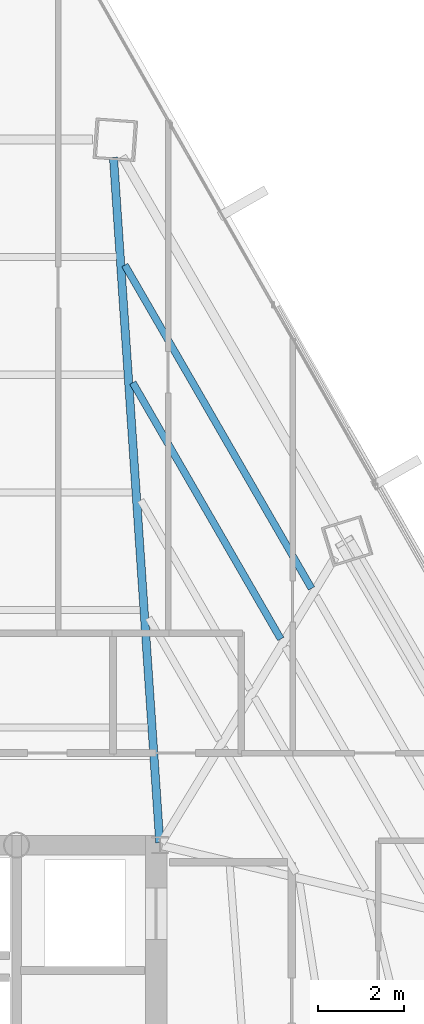
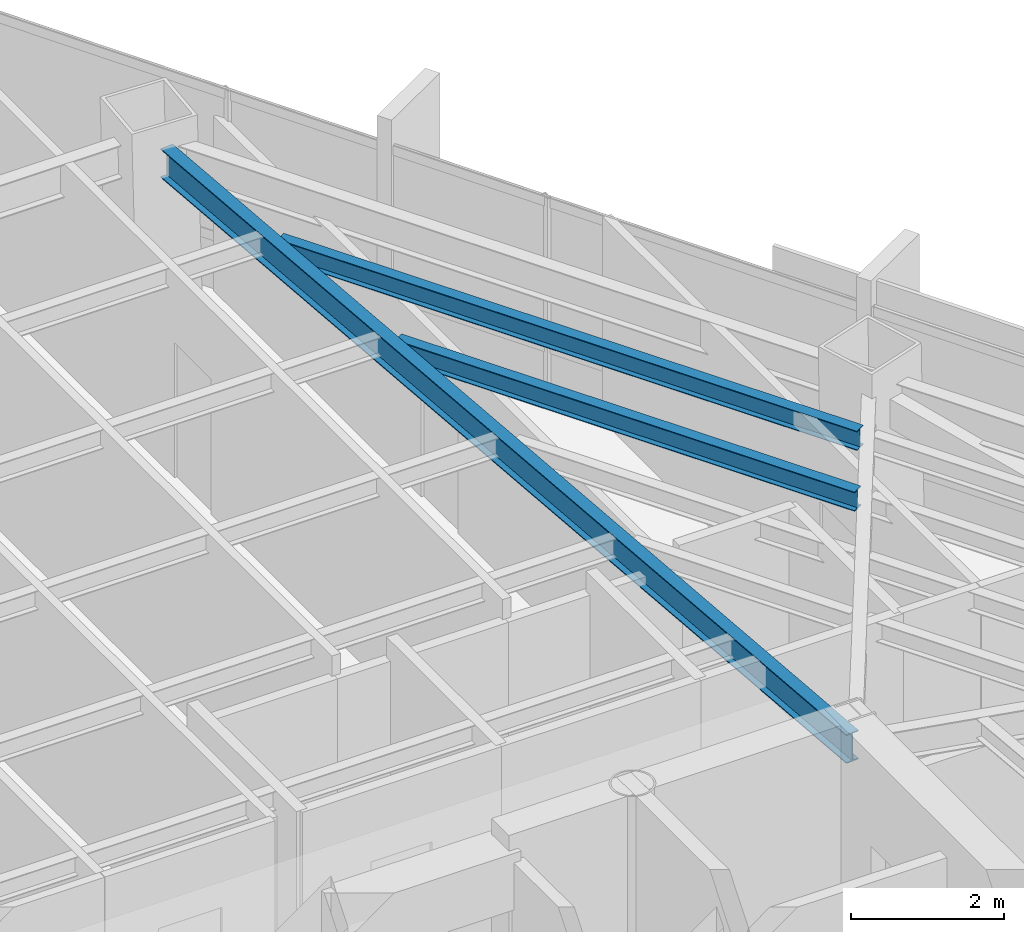
# One storey, part 30 of 40: 3 beams.
"""IFC4 building model written with IfcOpenShell, lengths in metres."""

from ifc_helpers import new_model, si_unit, direction, frame, origin, origin_2d, place, context, subcontext, project, spatial, i_section, extrude, source, transform, mapped, material, material_profile, profile_set, type_object, type_shapes, element, save


model = new_model("IFC4")

# Units and contexts
model_context = context("Model", 3, precision=1e-05, world=origin(), true_north=direction((0.0, 1.0)))
body_context = subcontext(model_context, "Body", "Model", "MODEL_VIEW")
ifc_project = project(units=[si_unit("LENGTHUNIT", "METRE"), si_unit("AREAUNIT", "SQUARE_METRE"), si_unit("VOLUMEUNIT", "CUBIC_METRE"), si_unit("PLANEANGLEUNIT", "RADIAN"), si_unit("MASSUNIT", "GRAM", prefix="KILO")], contexts=[model_context])

# Site, building, storey
site_placement = place(None, origin())
site = spatial("IfcSite", under=ifc_project, at=site_placement, CompositionType="ELEMENT")
building_placement = place(site_placement, origin())
building = spatial("IfcBuilding", under=site, at=building_placement, Name="Caelisora Broadcast Tower", CompositionType="ELEMENT")
storey_placement = place(building_placement, frame((0.0, 0.0, 146.39990234375)))
storey = spatial("IfcBuildingStorey", under=building, at=storey_placement, Name="L38", CompositionType="ELEMENT", Elevation=146.39990234375)

# Beams
ifc_material = material(Name="Steel Grade 350 (AS/NZS 3679.1)", Category="steel")
ifc_material_profile_1 = material_profile(ifc_material, i_section(OverallWidth=0.19091796875, OverallDepth=0.46044921875, WebThickness=0.010009765625, FlangeThickness=0.01611328125, at=origin_2d()), Name="Steel Grade 350 (AS/NZS 3679.1)")
ifc_profile_set_1 = profile_set([ifc_material_profile_1], Name="Steel Grade 350 (AS/NZS 3679.1)")
beam_type_1 = type_object("IfcBeamType", Name="PG06", PredefinedType="BEAM", material=ifc_profile_set_1)
shared_shape_1 = source(origin(), body_context, "Body", "SweptSolid", [
    extrude(i_section(OverallWidth=0.19091796875, OverallDepth=0.46044921875, WebThickness=0.010009765625, FlangeThickness=0.01611328125, at=origin_2d()), origin(), (0.0, 0.0, 1.0), 16.045166015625),
])
type_shapes(beam_type_1, [shared_shape_1])
beam_1_placement = place(storey_placement, frame((45.49609375, 30.059814453125, 3.02001953125), z_axis=(-0.067390524034, 0.997726674631, 0.0), x_axis=(-0.997726674631, -0.067390524034, 0.0)))
element("IfcBeam", 1, at=beam_1_placement, inside=storey, type_object=beam_type_1, Name="L38 beam PG06", PredefinedType="BEAM", context=body_context, shape_type="MappedRepresentation", body=[
    mapped(shared_shape_1, transform((0.0, 0.0, 0.0), scale=1.0)),
])
ifc_material_profile_2 = material_profile(ifc_material, i_section(OverallWidth=0.166015625, OverallDepth=0.30712890625, WebThickness=0.006591796875, FlangeThickness=0.01171875, at=origin_2d()), Name="Steel Grade 350 (AS/NZS 3679.1)")
ifc_profile_set_2 = profile_set([ifc_material_profile_2], Name="Steel Grade 350 (AS/NZS 3679.1)")
beam_type_2 = type_object("IfcBeamType", Name="SB03", PredefinedType="JOIST", material=ifc_profile_set_2)
shared_shape_2 = source(origin(), body_context, "Body", "SweptSolid", [
    extrude(i_section(OverallWidth=0.166015625, OverallDepth=0.30712890625, WebThickness=0.006591796875, FlangeThickness=0.01171875, at=origin_2d()), origin(), (0.0, 0.0, 1.0), 6.91650390625),
])
beam_2_placement = place(storey_placement, frame((48.32275390625, 34.816650390625, 3.096435546875), z_axis=(-0.500007637647, 0.866020994142, 0.0), x_axis=(-0.866020994142, -0.500007637647, 0.0)))
element("IfcBeam", 2, at=beam_2_placement, inside=storey, type_object=beam_type_2, Name="L38 beam SB03", PredefinedType="JOIST", context=body_context, shape_type="MappedRepresentation", body=[
    mapped(shared_shape_2, transform((0.0, 0.0, 0.0), scale=1.0)),
])
shared_shape_3 = source(origin(), body_context, "Body", "SweptSolid", [
    extrude(i_section(OverallWidth=0.166015625, OverallDepth=0.30712890625, WebThickness=0.006591796875, FlangeThickness=0.01171875, at=origin_2d()), origin(), (0.0, 0.0, 1.0), 8.7255859375),
])
type_shapes(beam_type_2, [shared_shape_2, shared_shape_3])
beam_3_placement = place(storey_placement, frame((49.041748046875, 35.997802734375, 3.096435546875), z_axis=(-0.499996946043, 0.86602716698, 0.0), x_axis=(-0.86602716698, -0.499996946043, 0.0)))
element("IfcBeam", 3, at=beam_3_placement, inside=storey, type_object=beam_type_2, Name="L38 beam SB03", PredefinedType="JOIST", context=body_context, shape_type="MappedRepresentation", body=[
    mapped(shared_shape_3, transform((0.0, 0.0, 0.0), scale=1.0)),
])

save(model, "model.ifc")
